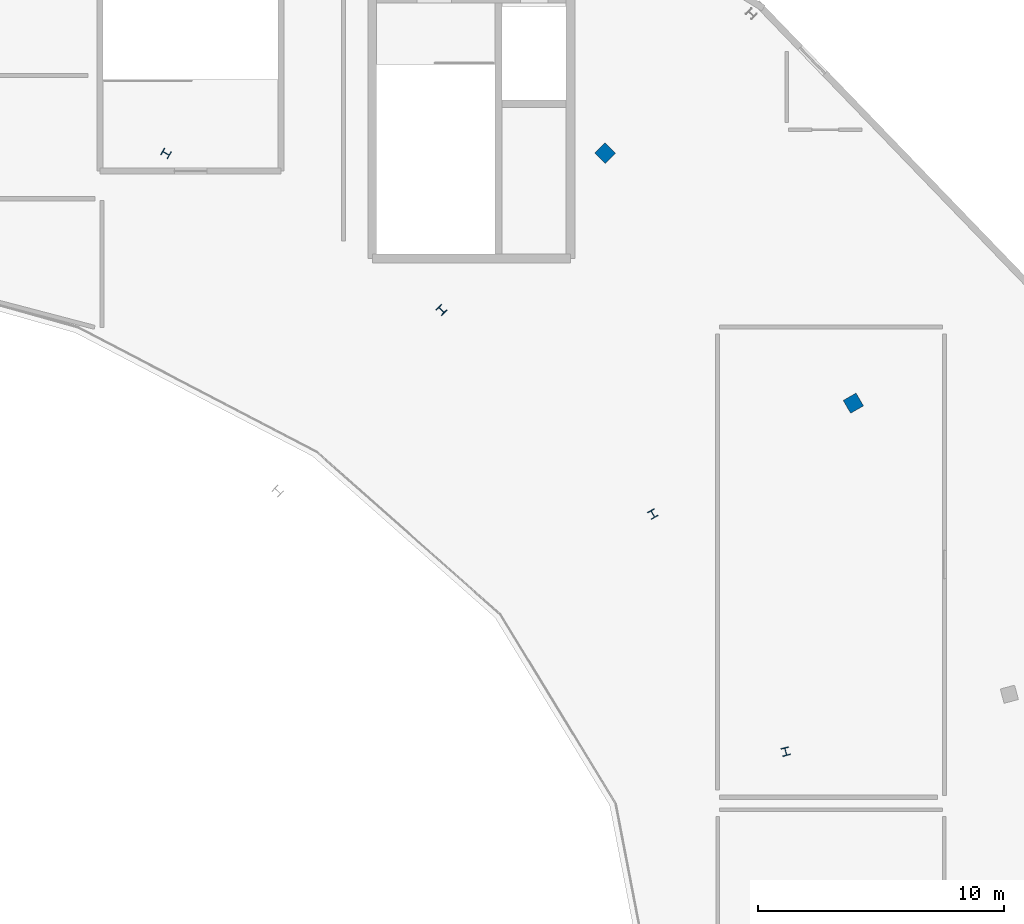
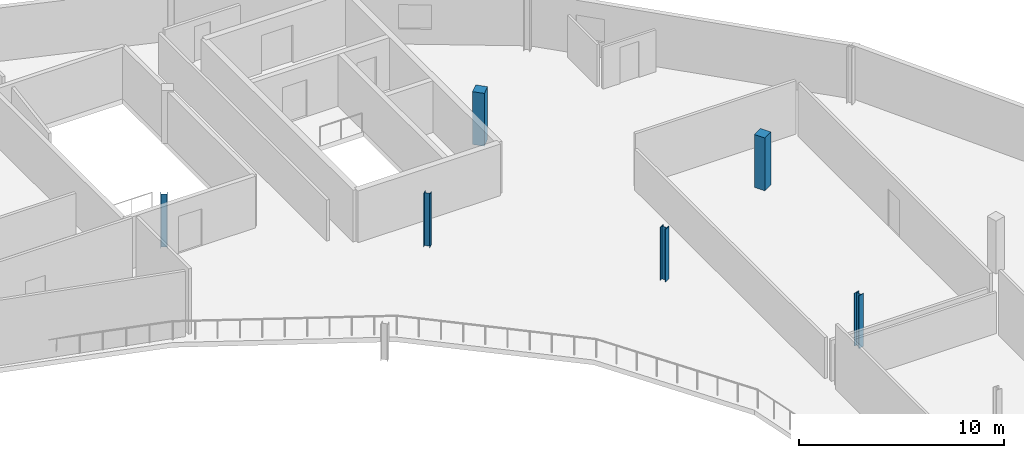
# One storey, part 10 of 35: 6 columns.
"""IFC4 building model written with IfcOpenShell, lengths in metres."""

from ifc_helpers import new_model, si_unit, direction, frame, origin, origin_2d, place, context, subcontext, project, spatial, rectangle, i_section, extrude, material, material_profile, profile_set, type_object, element, save


model = new_model("IFC4")

# Units and contexts
model_context = context("Model", 3, precision=1e-05, world=origin(), true_north=direction((0.0, 1.0)))
body_context = subcontext(model_context, "Body", "Model", "MODEL_VIEW")
ifc_project = project(units=[si_unit("LENGTHUNIT", "METRE"), si_unit("AREAUNIT", "SQUARE_METRE"), si_unit("VOLUMEUNIT", "CUBIC_METRE"), si_unit("PLANEANGLEUNIT", "RADIAN"), si_unit("MASSUNIT", "GRAM", prefix="KILO")], contexts=[model_context])

# Site, building, storey
site_placement = place(None, origin())
site = spatial("IfcSite", under=ifc_project, at=site_placement, CompositionType="ELEMENT")
building_placement = place(site_placement, origin())
building = spatial("IfcBuilding", under=site, at=building_placement, Name="Kalgoora Escarpment Arena", CompositionType="ELEMENT")
storey_placement = place(building_placement, frame((0.0, 0.0, 23.39990234375)))
storey = spatial("IfcBuildingStorey", under=building, at=storey_placement, Name="L05", CompositionType="ELEMENT", Elevation=23.39990234375)

# Columns
ifc_material_1 = material(Name="Structural steel AS/NZS 3679 (300 MPa)", Category="steel")
ifc_material_profile_1 = material_profile(ifc_material_1, i_section(OverallWidth=0.31103515625, OverallDepth=0.326904296875, WebThickness=0.015625, FlangeThickness=0.02490234375, at=origin_2d()))
ifc_profile_set_1 = profile_set([ifc_material_profile_1], Name="Structural steel AS/NZS 3679 (300 MPa)")
column_type_1 = type_object("IfcColumnType", Name="COL-COL-310UC158", PredefinedType="COLUMN", material=ifc_profile_set_1)
for number, where, z_axis, x_axis, name in (
    (1, (144.56005859375, 74.352783203125, 0.0), (0.0, 0.0, 1.0), (0.965925826289, 0.258819045103, 0.0), "L05 structural column COL-RMAIN-R02"),
    (2, (139.165283203125, 84.0, 0.0), (0.0, 0.0, 1.0), (0.866025403784, 0.5, 0.0), "L05 structural column COL-RMAIN-R03"),
    (3, (130.583740234375, 92.2841796875, 0.0), (0.0, 0.0, 1.0), (0.707106781187, 0.707106781187, 0.0), "L05 structural column COL-RMAIN-R04"),
    (4, (119.39990234375, 98.64111328125, 0.0), (0.0, 0.0, 1.0), (0.5, 0.866025403784, 0.0), "L05 structural column COL-RMAIN-R05"),
):
    element("IfcColumn", number, at=place(storey_placement, frame(where, z_axis=z_axis, x_axis=x_axis)), inside=storey, type_object=column_type_1, Name=name, PredefinedType="COLUMN", context=body_context, shape_type="SweptSolid", body=[
        extrude(i_section(OverallWidth=0.31103515625, OverallDepth=0.326904296875, WebThickness=0.015625, FlangeThickness=0.02490234375, at=origin_2d()), origin(), (0.0, 0.0, 1.0), 3.150146484375),
    ])
ifc_material_2 = material(Name="Concrete N50 (fc' 50 MPa)", Category="concrete")
ifc_material_profile_2 = material_profile(ifc_material_2, rectangle(XDim=0.60009765625, YDim=0.60009765625, at=origin_2d()))
ifc_profile_set_2 = profile_set([ifc_material_profile_2], Name="Concrete N50 (fc' 50 MPa)")
column_type_2 = type_object("IfcColumnType", Name="COL-COL-RC600x600", PredefinedType="COLUMN", material=ifc_profile_set_2)
for number, where, z_axis, x_axis, name in (
    (5, (147.305908203125, 88.5, 0.0), (0.0, 0.0, 1.0), (0.866025403784, 0.5, 0.0), "L05 structural column COL-RCONC1-R03"),
    (6, (137.230712890625, 98.648193359375, 0.0), (0.0, 0.0, 1.0), (0.707106781187, 0.707106781187, 0.0), "L05 structural column COL-RCONC1-R04"),
):
    element("IfcColumn", number, at=place(storey_placement, frame(where, z_axis=z_axis, x_axis=x_axis)), inside=storey, type_object=column_type_2, Name=name, PredefinedType="COLUMN", context=body_context, shape_type="SweptSolid", body=[
        extrude(rectangle(XDim=0.60009765625, YDim=0.60009765625, at=origin_2d()), origin(), (0.0, 0.0, 1.0), 3.150146484375),
    ])

save(model, "model.ifc")
